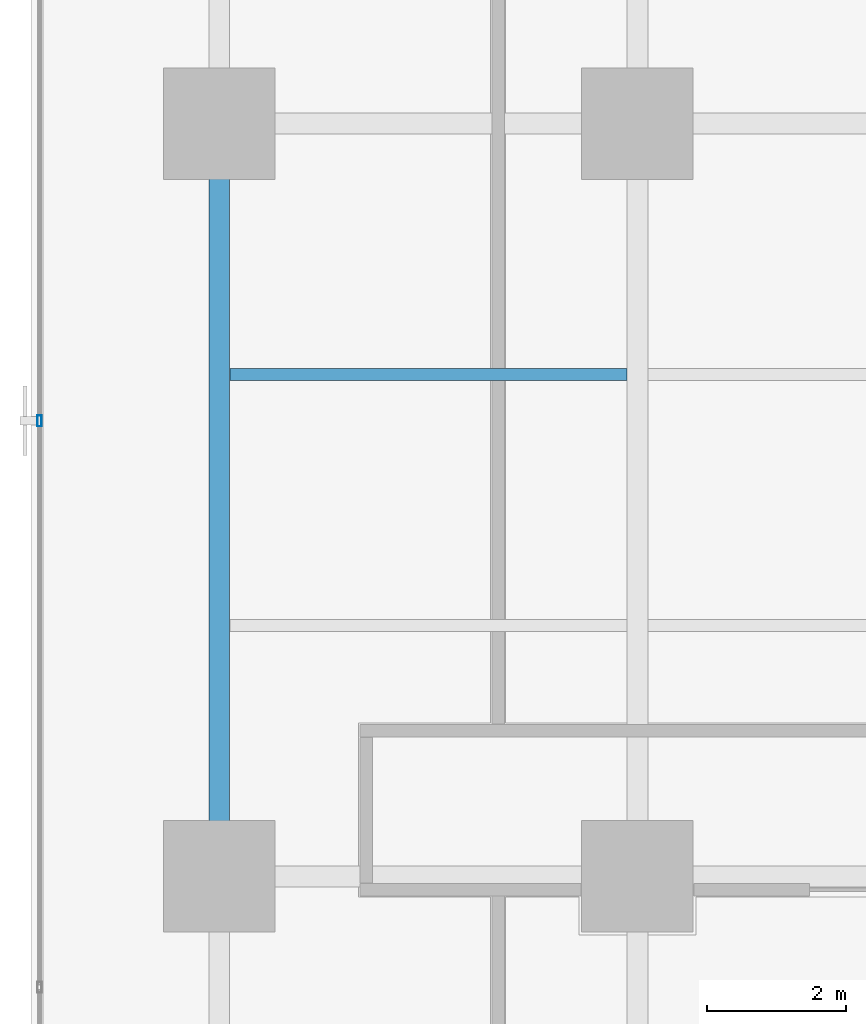
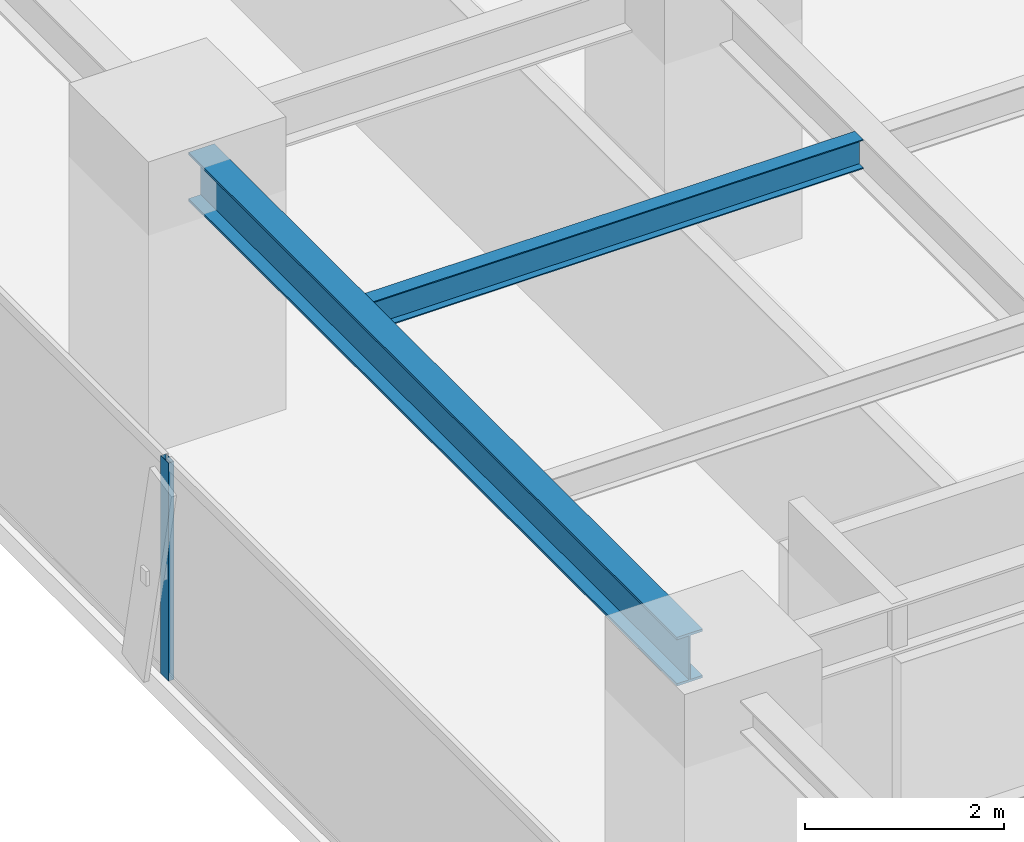
# One storey, part 8 of 36: 2 beams, 1 member, 1 element without a shape of its own.
"""IFC4 building model written with IfcOpenShell, lengths in metres."""

from ifc_helpers import new_model, si_unit, direction, frame, origin, origin_2d, place, context, subcontext, project, spatial, hollow_rectangle, i_section, extrude, source, transform, mapped, material, layer, layer_set, material_profile, profile_set, type_object, element, aggregate, save


model = new_model("IFC4")

# Units and contexts
model_context = context("Model", 3, precision=1e-05, world=origin(), true_north=direction((0.0, 1.0)))
body_context = subcontext(model_context, "Body", "Model", "MODEL_VIEW")
ifc_project = project(units=[si_unit("LENGTHUNIT", "METRE"), si_unit("AREAUNIT", "SQUARE_METRE"), si_unit("VOLUMEUNIT", "CUBIC_METRE"), si_unit("PLANEANGLEUNIT", "RADIAN"), si_unit("MASSUNIT", "GRAM", prefix="KILO")], contexts=[model_context])

# Site, building, storey
site_placement = place(None, origin())
site = spatial("IfcSite", under=ifc_project, at=site_placement, CompositionType="ELEMENT")
building_placement = place(site_placement, origin())
building = spatial("IfcBuilding", under=site, at=building_placement, Name="Sumidabori Civic Tower", CompositionType="ELEMENT")
storey_placement = place(building_placement, frame((0.0, 0.0, 120.800048828125)))
storey = spatial("IfcBuildingStorey", under=building, at=storey_placement, Name="L31", CompositionType="ELEMENT", Elevation=120.800048828125)

# Beams
ifc_material_1 = material(Name="Steel SN490", Category="steel")
ifc_material_profile_1 = material_profile(ifc_material_1, i_section(OverallWidth=0.300048828125, OverallDepth=0.60009765625, WebThickness=0.015380859375, FlangeThickness=0.030029296875, at=origin_2d()), Name="HE 600 B")
ifc_profile_set_1 = profile_set([ifc_material_profile_1], Name="Steel SN490")
beam_type_1 = type_object("IfcBeamType", Name="BM-GIRD-600", PredefinedType="BEAM", material=ifc_profile_set_1)
shared_shape_1 = source(origin(), body_context, "Body", "SweptSolid", [
    extrude(i_section(OverallWidth=0.300048828125, OverallDepth=0.60009765625, WebThickness=0.015380859375, FlangeThickness=0.030029296875, at=origin_2d()), origin(), (0.0, 0.0, 1.0), 9.840087890625),
])
beam_1_placement = place(storey_placement, frame((-22.800048828125, -10.320068359375, 3.0), z_axis=(0.0, 1.0, 0.0), x_axis=(-1.0, 0.0, 0.0)))
element("IfcBeam", 1, at=beam_1_placement, inside=storey, type_object=beam_type_1, Name="Primary Girder L31 GY-22", PredefinedType="BEAM", context=body_context, shape_type="MappedRepresentation", body=[
    mapped(shared_shape_1, transform((0.0, 0.0, 0.0), x_axis=(1.0, 0.0, 0.0), y_axis=(0.0, 1.0, 0.0), z_axis=(0.0, 0.0, 1.0), scale=1.0)),
])
ifc_material_profile_2 = material_profile(ifc_material_1, i_section(OverallWidth=0.169921875, OverallDepth=0.360107421875, WebThickness=0.008056640625, FlangeThickness=0.0126953125, at=origin_2d()), Name="IPE 360")
ifc_profile_set_2 = profile_set([ifc_material_profile_2], Name="Steel SN490")
beam_type_2 = type_object("IfcBeamType", Name="BM-JST-360", PredefinedType="JOIST", material=ifc_profile_set_2)
shared_shape_2 = source(origin(), body_context, "Body", "SweptSolid", [
    extrude(i_section(OverallWidth=0.169921875, OverallDepth=0.360107421875, WebThickness=0.008056640625, FlangeThickness=0.0126953125, at=origin_2d()), origin(), (0.0, 0.0, 1.0), 5.699951171875),
])
beam_2_placement = place(storey_placement, frame((-22.64990234375, -3.60009765625, 3.119873046875), z_axis=(1.0, 0.0, 0.0), x_axis=(0.0, 1.0, 0.0)))
element("IfcBeam", 2, at=beam_2_placement, inside=storey, type_object=beam_type_2, Name="Outer Bay Floor Joist L31 JSTO-45", PredefinedType="JOIST", context=body_context, shape_type="MappedRepresentation", body=[
    mapped(shared_shape_2, transform((0.0, 0.0, 0.0), x_axis=(1.0, 0.0, 0.0), y_axis=(0.0, 1.0, 0.0), z_axis=(0.0, 0.0, 1.0), scale=1.0)),
])

# Curtain wall, member
ifc_material_2 = material(Name="Anodised Bronze Aluminium AW-6063-T6", Category="aluminium")
ifc_layer = layer(ifc_material_2, 0.179931640625, Name="Anodised Bronze Aluminium AW-6063-T6")
ifc_layer_set = layer_set([ifc_layer], Name="Anodised Bronze Aluminium AW-6063-T6")
curtain_wall_type = type_object("IfcCurtainWallType", Name="CW-SYS-3", PredefinedType="NOTDEFINED", material=ifc_layer_set)
curtain_wall_placement = place(storey_placement, origin())
curtain_wall = element("IfcCurtainWall", 3, at=curtain_wall_placement, inside=storey, type_object=curtain_wall_type, Name="Curtain Wall CW:L31:R10", PredefinedType="NOTDEFINED")
ifc_material_profile_3 = material_profile(ifc_material_2, hollow_rectangle(XDim=0.06494140625, YDim=0.159912109375, WallThickness=0.0048828125, at=origin_2d()), Name="ALU MULLION 160x65")
ifc_profile_set_3 = profile_set([ifc_material_profile_3], Name="Anodised Bronze Aluminium AW-6063-T6")
member_type = type_object("IfcMemberType", Name="CW-MUL-160", PredefinedType="MULLION", material=ifc_profile_set_3)
shared_shape_3 = source(origin(), body_context, "Body", "SweptSolid", [
    extrude(hollow_rectangle(XDim=0.06494140625, YDim=0.159912109375, WallThickness=0.0048828125, at=origin_2d()), origin(), (0.0, 0.0, 1.0), 2.679931640625),
])
member_placement = place(storey_placement, frame((-25.3798828125, -4.263916015625, 0.0), z_axis=(0.0, 0.0, 1.0), x_axis=(1.0, 0.0, 0.0)))
member = element("IfcMember", 4, at=member_placement, type_object=member_type, Name="CW-3 mullion 4", PredefinedType="MULLION", context=body_context, shape_type="MappedRepresentation", body=[
    mapped(shared_shape_3, transform((0.0, 0.0, 0.0), x_axis=(1.0, 0.0, 0.0), y_axis=(0.0, 1.0, 0.0), z_axis=(0.0, 0.0, 1.0), scale=1.0)),
])
aggregate(curtain_wall, [member])

save(model, "model.ifc")
